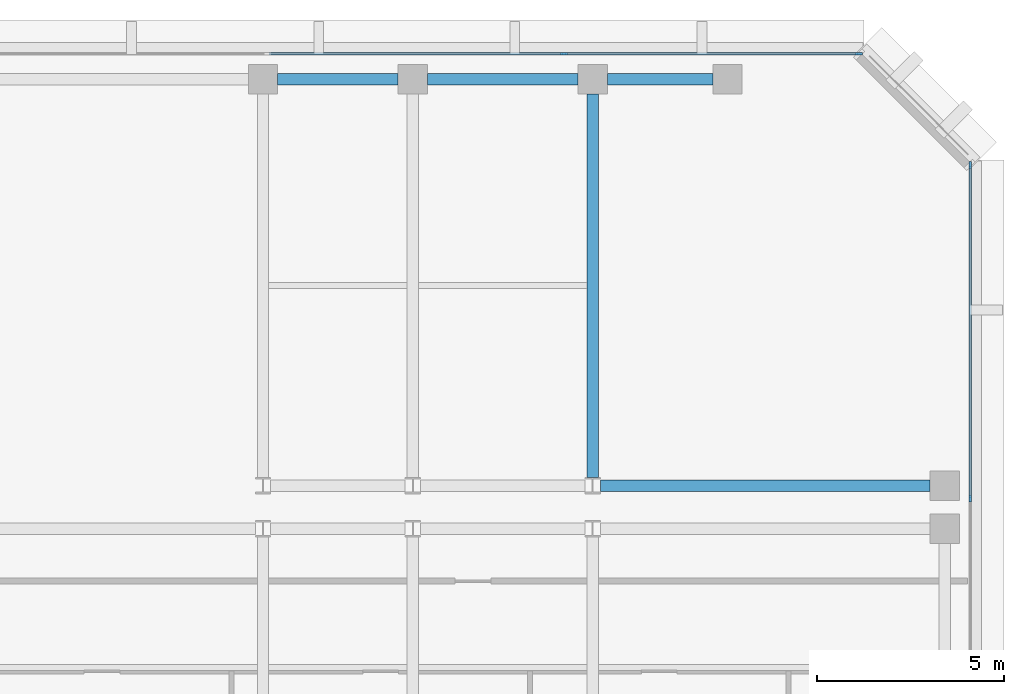
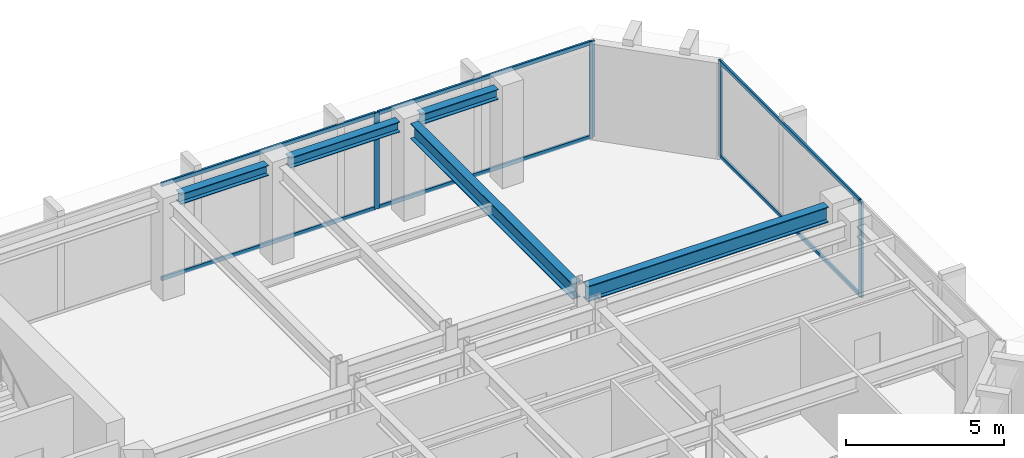
# One storey, part 5 of 11: 10 members, 5 beams, 2 elements without a shape of their own.
"""IFC4 building model written with IfcOpenShell, lengths in metres."""

from ifc_helpers import new_model, si_unit, direction, frame, origin, origin_2d, place, context, subcontext, project, spatial, rectangle, i_section, extrude, material, layer, layer_set, material_profile, profile_set, type_object, element, aggregate, save


model = new_model("IFC4")

# Units and contexts
model_context = context("Model", 3, precision=1e-05, world=origin(), true_north=direction((0.0, 1.0)))
body_context = subcontext(model_context, "Body", "Model", "MODEL_VIEW")
ifc_project = project(units=[si_unit("LENGTHUNIT", "METRE"), si_unit("AREAUNIT", "SQUARE_METRE"), si_unit("VOLUMEUNIT", "CUBIC_METRE"), si_unit("PLANEANGLEUNIT", "RADIAN"), si_unit("MASSUNIT", "GRAM", prefix="KILO")], contexts=[model_context])

# Site, building, storey
site_placement = place(None, origin())
site = spatial("IfcSite", under=ifc_project, at=site_placement, CompositionType="ELEMENT")
building_placement = place(site_placement, origin())
building = spatial("IfcBuilding", under=site, at=building_placement, Name="Kefirva Bronze Tower", CompositionType="ELEMENT")
storey_placement = place(building_placement, frame((0.0, 0.0, 191.39990234375)))
storey = spatial("IfcBuildingStorey", under=building, at=storey_placement, Name="L46", CompositionType="ELEMENT", Elevation=191.39990234375)

# Curtain wall, members
ifc_material_1 = material(Name="Bronze anodised aluminium", Category="aluminium")
ifc_layer = layer(ifc_material_1, 0.179931640625, Name="Bronze anodised aluminium")
ifc_layer_set = layer_set([ifc_layer], Name="Bronze anodised aluminium")
curtain_wall_type = type_object("IfcCurtainWallType", Name="Unitised Bronze Ribbon Curtain Wall Zone 3", PredefinedType="USERDEFINED", material=ifc_layer_set)
curtain_wall_1_placement = place(storey_placement, origin())
curtain_wall_1 = element("IfcCurtainWall", 1, at=curtain_wall_1_placement, inside=storey, type_object=curtain_wall_type, Name="L46 Curtain Wall 2", ObjectType="UNITISED CURTAIN WALL", PredefinedType="USERDEFINED")
ifc_material_profile_1 = material_profile(ifc_material_1, rectangle(XDim=0.074951171875, YDim=0.179931640625, at=origin_2d()), Name="ALU 75x180")
ifc_profile_set_1 = profile_set([ifc_material_profile_1], Name="Bronze anodised aluminium")
member_type_1 = type_object("IfcMemberType", Name="Bronze Mullion 75x180", PredefinedType="MULLION", material=ifc_profile_set_1)
member_1_placement = place(storey_placement, frame((50.080078125, 34.0, 0.0), z_axis=(0.0, 0.0, 1.0), x_axis=(-1.0, 0.0, 0.0)))
member_1 = element("IfcMember", 2, at=member_1_placement, type_object=member_type_1, Name="CW-03 mullion 2", PredefinedType="MULLION", context=body_context, shape_type="SweptSolid", body=[
    extrude(rectangle(XDim=0.074951171875, YDim=0.179931640625, at=origin_2d()), origin(), (0.0, 0.0, 1.0), 3.710205078125),
])
member_2_placement = place(storey_placement, frame((50.080078125, 42.907470703125, 0.0), z_axis=(0.0, 0.0, 1.0), x_axis=(-1.0, 0.0, 0.0)))
member_2 = element("IfcMember", 3, at=member_2_placement, type_object=member_type_1, Name="CW-03 mullion 3", PredefinedType="MULLION", context=body_context, shape_type="SweptSolid", body=[
    extrude(rectangle(XDim=0.074951171875, YDim=0.179931640625, at=origin_2d()), origin(), (0.0, 0.0, 1.0), 3.710205078125),
])

curtain_wall_2_placement = place(storey_placement, origin())
curtain_wall_2 = element("IfcCurtainWall", 4, at=curtain_wall_2_placement, inside=storey, type_object=curtain_wall_type, Name="L46 Curtain Wall 3", ObjectType="UNITISED CURTAIN WALL", PredefinedType="USERDEFINED")
member_3_placement = place(storey_placement, frame((47.107421875, 45.8798828125, 0.0), z_axis=(0.0, 0.0, 1.0), x_axis=(0.0, -1.0, 0.0)))
member_3 = element("IfcMember", 5, at=member_3_placement, type_object=member_type_1, Name="CW-03 mullion 1", PredefinedType="MULLION", context=body_context, shape_type="SweptSolid", body=[
    extrude(rectangle(XDim=0.074951171875, YDim=0.179931640625, at=origin_2d()), origin(), (0.0, 0.0, 1.0), 3.710205078125),
])
member_4_placement = place(storey_placement, frame((39.231689453125, 45.8798828125, 0.0), z_axis=(0.0, 0.0, 1.0), x_axis=(0.0, -1.0, 0.0)))
member_4 = element("IfcMember", 6, at=member_4_placement, type_object=member_type_1, Name="CW-03 mullion 2", PredefinedType="MULLION", context=body_context, shape_type="SweptSolid", body=[
    extrude(rectangle(XDim=0.074951171875, YDim=0.179931640625, at=origin_2d()), origin(), (0.0, 0.0, 1.0), 3.710205078125),
])

# Member
ifc_material_profile_2 = material_profile(ifc_material_1, rectangle(XDim=0.074951171875, YDim=0.14990234375, at=origin_2d()), Name="ALU 75x150")
ifc_profile_set_2 = profile_set([ifc_material_profile_2], Name="Bronze anodised aluminium")
member_type_2 = type_object("IfcMemberType", Name="Bronze Transom 75x150", PredefinedType="USERDEFINED", material=ifc_profile_set_2)
member_5_placement = place(storey_placement, frame((50.080078125, 34.03759765625, 0.03759765625), z_axis=(0.0, 1.0, 0.0), x_axis=(-1.0, 0.0, 0.0)))
member_5 = element("IfcMember", 7, at=member_5_placement, type_object=member_type_2, Name="CW-03 transom 2.1", ObjectType="TRANSOM", PredefinedType="USERDEFINED", context=body_context, shape_type="SweptSolid", body=[
    extrude(rectangle(XDim=0.074951171875, YDim=0.14990234375, at=origin_2d()), origin(), (0.0, 0.0, 1.0), 8.83251953125),
])

member_6_placement = place(storey_placement, frame((50.080078125, 34.03759765625, 3.672607421875), z_axis=(0.0, 1.0, 0.0), x_axis=(-1.0, 0.0, 0.0)))
member_6 = element("IfcMember", 8, at=member_6_placement, type_object=member_type_2, Name="CW-03 transom 2.2", ObjectType="TRANSOM", PredefinedType="USERDEFINED", context=body_context, shape_type="SweptSolid", body=[
    extrude(rectangle(XDim=0.074951171875, YDim=0.14990234375, at=origin_2d()), origin(), (0.0, 0.0, 1.0), 8.83251953125),
])

aggregate(curtain_wall_1, [member_1, member_2, member_5, member_6])

member_7_placement = place(storey_placement, frame((47.070068359375, 45.8798828125, 0.03759765625), z_axis=(-1.0, 0.0, 0.0), x_axis=(0.0, -1.0, 0.0)))
member_7 = element("IfcMember", 9, at=member_7_placement, type_object=member_type_2, Name="CW-03 transom 1.1", ObjectType="TRANSOM", PredefinedType="USERDEFINED", context=body_context, shape_type="SweptSolid", body=[
    extrude(rectangle(XDim=0.074951171875, YDim=0.14990234375, at=origin_2d()), origin(), (0.0, 0.0, 1.0), 7.80078125),
])

member_8_placement = place(storey_placement, frame((47.070068359375, 45.8798828125, 3.672607421875), z_axis=(-1.0, 0.0, 0.0), x_axis=(0.0, -1.0, 0.0)))
member_8 = element("IfcMember", 10, at=member_8_placement, type_object=member_type_2, Name="CW-03 transom 1.2", ObjectType="TRANSOM", PredefinedType="USERDEFINED", context=body_context, shape_type="SweptSolid", body=[
    extrude(rectangle(XDim=0.074951171875, YDim=0.14990234375, at=origin_2d()), origin(), (0.0, 0.0, 1.0), 7.80078125),
])

member_9_placement = place(storey_placement, frame((39.194091796875, 45.8798828125, 0.03759765625), z_axis=(-1.0, 0.0, 0.0), x_axis=(0.0, -1.0, 0.0)))
member_9 = element("IfcMember", 11, at=member_9_placement, type_object=member_type_2, Name="CW-03 transom 2.1", ObjectType="TRANSOM", PredefinedType="USERDEFINED", context=body_context, shape_type="SweptSolid", body=[
    extrude(rectangle(XDim=0.074951171875, YDim=0.14990234375, at=origin_2d()), origin(), (0.0, 0.0, 1.0), 7.83837890625),
])

member_10_placement = place(storey_placement, frame((39.194091796875, 45.8798828125, 3.672607421875), z_axis=(-1.0, 0.0, 0.0), x_axis=(0.0, -1.0, 0.0)))
member_10 = element("IfcMember", 12, at=member_10_placement, type_object=member_type_2, Name="CW-03 transom 2.2", ObjectType="TRANSOM", PredefinedType="USERDEFINED", context=body_context, shape_type="SweptSolid", body=[
    extrude(rectangle(XDim=0.074951171875, YDim=0.14990234375, at=origin_2d()), origin(), (0.0, 0.0, 1.0), 7.83837890625),
])

aggregate(curtain_wall_2, [member_3, member_4, member_7, member_8, member_9, member_10])

# Beams
ifc_material_2 = material(Name="Steel S355", Category="steel")
ifc_material_profile_3 = material_profile(ifc_material_2, i_section(OverallWidth=0.300048828125, OverallDepth=0.60009765625, WebThickness=0.015380859375, FlangeThickness=0.030029296875, at=origin_2d()), Name="HEB 600")
ifc_profile_set_3 = profile_set([ifc_material_profile_3], Name="Steel S355")
beam_type_1 = type_object("IfcBeamType", Name="Steel Girder HEB 600", PredefinedType="USERDEFINED", material=ifc_profile_set_3)
beam_1_placement = place(storey_placement, frame((40.2060546875, 34.35009765625, 3.41015625), z_axis=(1.0, 0.0, 0.0), x_axis=(0.0, 1.0, 0.0)))
element("IfcBeam", 13, at=beam_1_placement, inside=storey, type_object=beam_type_1, Name="L46 BM-L46-EW-40-344", ObjectType="GIRDER", PredefinedType="USERDEFINED", context=body_context, shape_type="SweptSolid", body=[
    extrude(i_section(OverallWidth=0.300048828125, OverallDepth=0.60009765625, WebThickness=0.015380859375, FlangeThickness=0.030029296875, at=origin_2d()), origin(), (0.0, 0.0, 1.0), 8.803955078125),
])
beam_2_placement = place(storey_placement, frame((40.0, 34.5673828125, 3.41015625), z_axis=(0.0, 1.0, 0.0), x_axis=(-1.0, 0.0, 0.0)))
element("IfcBeam", 14, at=beam_2_placement, inside=storey, type_object=beam_type_1, Name="L46 BM-L46-NS-400-34", ObjectType="GIRDER", PredefinedType="USERDEFINED", context=body_context, shape_type="SweptSolid", body=[
    extrude(i_section(OverallWidth=0.300048828125, OverallDepth=0.60009765625, WebThickness=0.015380859375, FlangeThickness=0.030029296875, at=origin_2d()), origin(), (0.0, 0.0, 1.0), 10.24267578125),
])
ifc_material_profile_4 = material_profile(ifc_material_2, i_section(OverallWidth=0.300048828125, OverallDepth=0.39990234375, WebThickness=0.013427734375, FlangeThickness=0.02392578125, at=origin_2d()), Name="HEB 400")
ifc_profile_set_4 = profile_set([ifc_material_profile_4], Name="Steel S355")
beam_type_2 = type_object("IfcBeamType", Name="Steel Spandrel HEB 400 Ext", PredefinedType="SPANDREL", material=ifc_profile_set_4)
beam_3_placement = place(storey_placement, frame((31.590087890625, 45.199951171875, 3.510009765625), z_axis=(1.0, 0.0, 0.0), x_axis=(0.0, 1.0, 0.0)))
element("IfcBeam", 15, at=beam_3_placement, inside=storey, type_object=beam_type_2, Name="L46 BM-L46-EW-31-452", PredefinedType="SPANDREL", context=body_context, shape_type="SweptSolid", body=[
    extrude(i_section(OverallWidth=0.300048828125, OverallDepth=0.39990234375, WebThickness=0.013427734375, FlangeThickness=0.02392578125, at=origin_2d()), origin(), (0.0, 0.0, 1.0), 3.219970703125),
])
beam_4_placement = place(storey_placement, frame((35.590087890625, 45.199951171875, 3.510009765625), z_axis=(1.0, 0.0, 0.0), x_axis=(0.0, 1.0, 0.0)))
element("IfcBeam", 16, at=beam_4_placement, inside=storey, type_object=beam_type_2, Name="L46 BM-L46-EW-35-452", PredefinedType="SPANDREL", context=body_context, shape_type="SweptSolid", body=[
    extrude(i_section(OverallWidth=0.300048828125, OverallDepth=0.39990234375, WebThickness=0.013427734375, FlangeThickness=0.02392578125, at=origin_2d()), origin(), (0.0, 0.0, 1.0), 4.02001953125),
])
beam_5_placement = place(storey_placement, frame((40.389892578125, 45.199951171875, 3.510009765625), z_axis=(1.0, 0.0, 0.0), x_axis=(0.0, 1.0, 0.0)))
element("IfcBeam", 17, at=beam_5_placement, inside=storey, type_object=beam_type_2, Name="L46 BM-L46-EW-40-452", PredefinedType="SPANDREL", context=body_context, shape_type="SweptSolid", body=[
    extrude(i_section(OverallWidth=0.300048828125, OverallDepth=0.39990234375, WebThickness=0.013427734375, FlangeThickness=0.02392578125, at=origin_2d()), origin(), (0.0, 0.0, 1.0), 2.820068359375),
])

save(model, "model.ifc")
